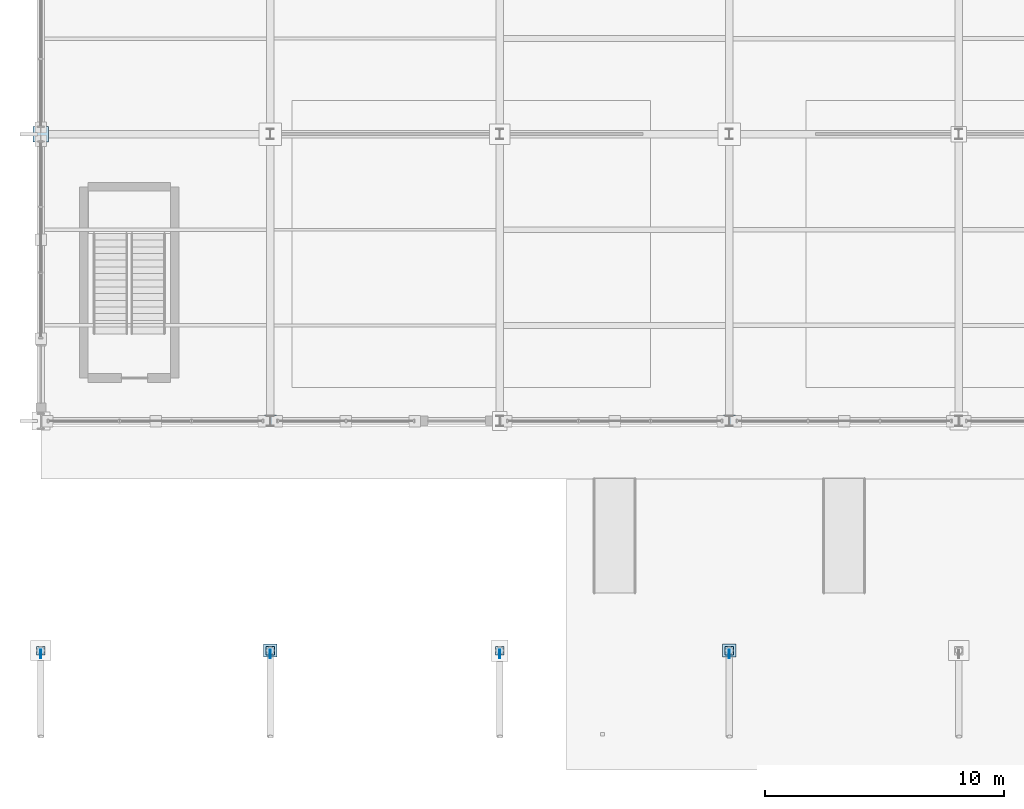
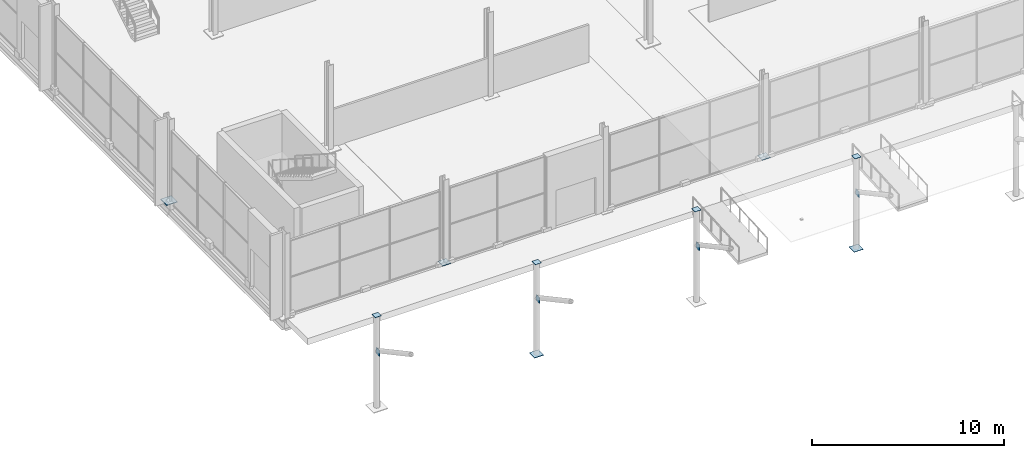
# One storey, part 153 of 196: 13 plates.
"""IFC4 building model written with IfcOpenShell, lengths in metres."""

from ifc_helpers import new_model, si_unit, direction, frame, origin, origin_2d, place, context, subcontext, project, spatial, rectangle, extrude, material, layer, layer_set, type_object, element, save


model = new_model("IFC4")

# Units and contexts
model_context = context("Model", 3, precision=1e-05, world=origin(), true_north=direction((0.0, 1.0)))
body_context = subcontext(model_context, "Body", "Model", "MODEL_VIEW")
ifc_project = project(units=[si_unit("LENGTHUNIT", "METRE"), si_unit("AREAUNIT", "SQUARE_METRE"), si_unit("VOLUMEUNIT", "CUBIC_METRE"), si_unit("PLANEANGLEUNIT", "RADIAN"), si_unit("MASSUNIT", "GRAM", prefix="KILO")], contexts=[model_context])

# Site, building, storey
site_placement = place(None, origin())
site = spatial("IfcSite", under=ifc_project, at=site_placement, CompositionType="ELEMENT")
building_placement = place(site_placement, origin())
building = spatial("IfcBuilding", under=site, at=building_placement, Name="Merenkruunu Market Hall", CompositionType="ELEMENT")
storey_placement = place(building_placement, origin())
storey = spatial("IfcBuildingStorey", under=building, at=storey_placement, Name="L00", CompositionType="ELEMENT", Elevation=0.0)

# Plates
ifc_material = material(Name="Steel S355ML", Category="steel")
ifc_layer_1 = layer(ifc_material, 0.034912109375)
ifc_layer_set_1 = layer_set([ifc_layer_1], Name="Steel S355ML")
plate_type_1 = type_object("IfcPlateType", Name="Column Base Plate BP03", PredefinedType="USERDEFINED", material=ifc_layer_set_1)
plate_placement = place(storey_placement, frame((0.0, 27.60009765625, 0.0), z_axis=(0.0, 0.0, 1.0), x_axis=(1.0, 0.0, 0.0)))
element("IfcPlate", 1, at=plate_placement, inside=storey, type_object=plate_type_1, Name="PLT-BP-A-04", ObjectType="BASE_PLATE", PredefinedType="USERDEFINED", context=body_context, shape_type="SweptSolid", body=[
    extrude(rectangle(XDim=0.64990234375, YDim=0.64990234375, at=origin_2d()), origin(), (0.0, 0.0, 1.0), 0.034912109375),
])
ifc_layer_2 = layer(ifc_material, 0.030029296875)
ifc_layer_set_2 = layer_set([ifc_layer_2], Name="Steel S355ML")
plate_type_2 = type_object("IfcPlateType", Name="Column Base Plate BP04", PredefinedType="USERDEFINED", material=ifc_layer_set_2)
for number, where, z_axis, x_axis, name in (
    (2, (9.60009765625, 6.0, 0.0), (0.0, 0.0, 1.0), (1.0, 0.0, 0.0), "PLT-BP-B-02"),
    (3, (28.800048828125, 6.0, 0.0), (0.0, 0.0, 1.0), (1.0, 0.0, 0.0), "PLT-BP-D-02"),
):
    element("IfcPlate", number, at=place(storey_placement, frame(where, z_axis=z_axis, x_axis=x_axis)), inside=storey, type_object=plate_type_2, Name=name, ObjectType="BASE_PLATE", PredefinedType="USERDEFINED", context=body_context, shape_type="SweptSolid", body=[
        extrude(rectangle(XDim=0.550048828125, YDim=0.550048828125, at=origin_2d()), origin(), (0.0, 0.0, 1.0), 0.030029296875),
    ])
ifc_layer_3 = layer(ifc_material, 0.028076171875)
ifc_layer_set_3 = layer_set([ifc_layer_3], Name="Steel S355ML")
plate_type_3 = type_object("IfcPlateType", Name="Column Base Plate BP05", PredefinedType="USERDEFINED", material=ifc_layer_set_3)
for number, where, z_axis, x_axis, name in (
    (4, (9.60009765625, 15.60009765625, 0.0), (0.0, 0.0, 1.0), (1.0, 0.0, 0.0), "PLT-BP-B-03"),
    (5, (28.800048828125, 15.60009765625, 0.0), (0.0, 0.0, 1.0), (1.0, 0.0, 0.0), "PLT-BP-D-03"),
):
    element("IfcPlate", number, at=place(storey_placement, frame(where, z_axis=z_axis, x_axis=x_axis)), inside=storey, type_object=plate_type_3, Name=name, ObjectType="BASE_PLATE", PredefinedType="USERDEFINED", context=body_context, shape_type="SweptSolid", body=[
        extrude(rectangle(XDim=0.5, YDim=0.5, at=origin_2d()), origin(), (0.0, 0.0, 1.0), 0.028076171875),
    ])
ifc_layer_4 = layer(ifc_material, 0.02001953125)
ifc_layer_set_4 = layer_set([ifc_layer_4], Name="Steel S355ML")
plate_type_4 = type_object("IfcPlateType", Name="Truss Gusset Or Cap Plate CP01", PredefinedType="USERDEFINED", material=ifc_layer_set_4)
for number, where, z_axis, x_axis, name in (
    (6, (0.0, 6.0, 5.837890625), (0.0, 0.0, 1.0), (1.0, 0.0, 0.0), "PLT-CAP-001"),
    (7, (9.60009765625, 6.0, 5.837890625), (0.0, 0.0, 1.0), (1.0, 0.0, 0.0), "PLT-CAP-012"),
    (8, (19.199951171875, 6.0, 5.837890625), (0.0, 0.0, 1.0), (1.0, 0.0, 0.0), "PLT-CAP-013"),
    (9, (28.800048828125, 6.0, 5.837890625), (0.0, 0.0, 1.0), (1.0, 0.0, 0.0), "PLT-CAP-014"),
):
    element("IfcPlate", number, at=place(storey_placement, frame(where, z_axis=z_axis, x_axis=x_axis)), inside=storey, type_object=plate_type_4, Name=name, ObjectType="GUSSET_PLATE", PredefinedType="USERDEFINED", context=body_context, shape_type="SweptSolid", body=[
        extrude(rectangle(XDim=0.360107421875, YDim=0.360107421875, at=origin_2d()), origin(), (0.0, 0.0, 1.0), 0.02001953125),
    ])
ifc_layer_5 = layer(ifc_material, 0.035888671875)
ifc_layer_set_5 = layer_set([ifc_layer_5], Name="Steel S355ML")
plate_type_5 = type_object("IfcPlateType", Name="Truss Gusset Or Cap Plate CP08", PredefinedType="USERDEFINED", material=ifc_layer_set_5)
for number, where, z_axis, x_axis, name in (
    (10, (0.0, 5.85009765625, 3.41015625), (0.0, 0.0, 1.0), (1.0, 0.0, 0.0), "PLT-V6-STRUT-000-A"),
    (11, (9.60009765625, 5.85009765625, 3.41015625), (0.0, 0.0, 1.0), (1.0, 0.0, 0.0), "PLT-V6-STRUT-010-A"),
    (12, (19.199951171875, 5.85009765625, 3.41015625), (0.0, 0.0, 1.0), (1.0, 0.0, 0.0), "PLT-V6-STRUT-019-A"),
    (13, (28.800048828125, 5.85009765625, 3.41015625), (0.0, 0.0, 1.0), (1.0, 0.0, 0.0), "PLT-V6-STRUT-029-A"),
):
    element("IfcPlate", number, at=place(storey_placement, frame(where, z_axis=z_axis, x_axis=x_axis)), inside=storey, type_object=plate_type_5, Name=name, ObjectType="GUSSET_PLATE", PredefinedType="USERDEFINED", context=body_context, shape_type="SweptSolid", body=[
        extrude(rectangle(XDim=0.035888671875, YDim=0.360107421875, at=origin_2d()), origin(), (0.0, 0.0, 1.0), 0.3798828125),
    ])

save(model, "model.ifc")
